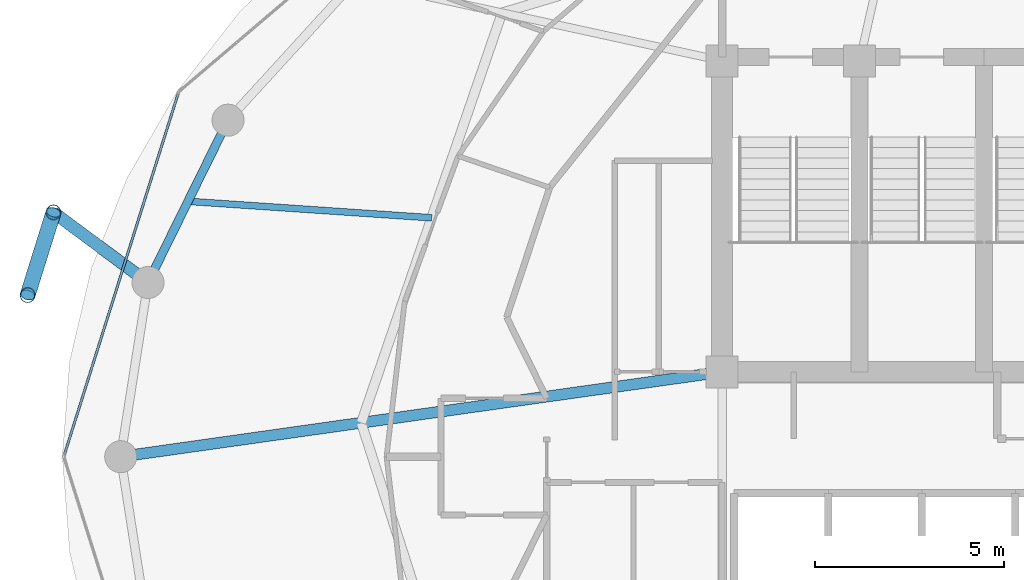
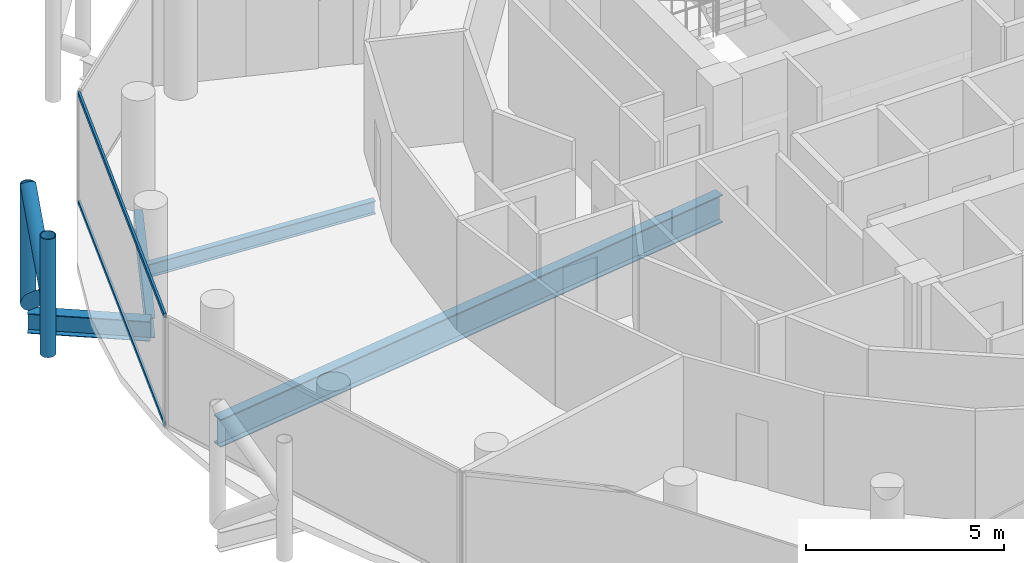
# One storey, part 8 of 27: 6 members, 4 beams, 1 element without a shape of its own.
"""IFC4 building model written with IfcOpenShell, lengths in metres."""

from ifc_helpers import new_model, si_unit, direction, frame, origin, origin_2d, place, context, subcontext, project, spatial, hollow_rectangle, hollow_circle, i_section, extrude, material, layer, layer_set, material_profile, profile_set, type_object, element, aggregate, save


model = new_model("IFC4")

# Units and contexts
model_context = context("Model", 3, precision=1e-05, world=origin(), true_north=direction((0.0, 1.0)))
body_context = subcontext(model_context, "Body", "Model", "MODEL_VIEW")
ifc_project = project(units=[si_unit("LENGTHUNIT", "METRE"), si_unit("AREAUNIT", "SQUARE_METRE"), si_unit("VOLUMEUNIT", "CUBIC_METRE"), si_unit("PLANEANGLEUNIT", "RADIAN"), si_unit("MASSUNIT", "GRAM", prefix="KILO")], contexts=[model_context])

# Site, building, storey
site_placement = place(None, origin())
site = spatial("IfcSite", under=ifc_project, at=site_placement, CompositionType="ELEMENT")
building_placement = place(site_placement, origin())
building = spatial("IfcBuilding", under=site, at=building_placement, Name="Nuhasar Tower", CompositionType="ELEMENT")
storey_placement = place(building_placement, frame((0.0, 0.0, 208.14990234375)))
storey = spatial("IfcBuildingStorey", under=building, at=storey_placement, Name="L50", CompositionType="ELEMENT", Elevation=208.14990234375)

# Beams
ifc_material_1 = material(Name="Steel S355", Category="steel")
ifc_material_profile_1 = material_profile(ifc_material_1, i_section(OverallWidth=0.177978515625, OverallDepth=0.406005859375, WebThickness=0.0078125, FlangeThickness=0.0126953125, at=origin_2d()), Name="W16X40")
ifc_profile_set_1 = profile_set([ifc_material_profile_1], Name="Steel S355")
beam_type_1 = type_object("IfcBeamType", Name="BM-JST-W16X40", PredefinedType="JOIST", material=ifc_profile_set_1)
beam_1_placement = place(storey_placement, frame((25.9970703125, 33.135986328125, -0.44287109375), z_axis=(-0.997721156568, 0.067472170095, 0.0), x_axis=(-0.067472170095, -0.997721156568, 0.0)))
element("IfcBeam", 1, at=beam_1_placement, inside=storey, type_object=beam_type_1, Name="L50 Secondary Floor Joist 07", PredefinedType="JOIST", context=body_context, shape_type="SweptSolid", body=[
    extrude(i_section(OverallWidth=0.177978515625, OverallDepth=0.406005859375, WebThickness=0.0078125, FlangeThickness=0.0126953125, at=origin_2d()), origin(), (0.0, 0.0, 1.0), 6.476806640625),
])
ifc_material_profile_2 = material_profile(ifc_material_1, i_section(OverallWidth=0.2919921875, OverallDepth=0.85888671875, WebThickness=0.01708984375, FlangeThickness=0.031005859375, at=origin_2d()), Name="W33X169")
ifc_profile_set_2 = profile_set([ifc_material_profile_2], Name="Steel S355")
beam_type_2 = type_object("IfcBeamType", Name="BM-POD-W33X169", PredefinedType="BEAM", material=ifc_profile_set_2)
beam_2_placement = place(storey_placement, frame((33.699951171875, 29.050048828125, -0.6689453125), z_axis=(-0.990196233464, -0.139683281866, 0.0), x_axis=(0.139683281866, -0.990196233464, 0.0)))
element("IfcBeam", 2, at=beam_2_placement, inside=storey, type_object=beam_type_2, Name="L50 Radial Floor Girder 08", PredefinedType="BEAM", context=body_context, shape_type="SweptSolid", body=[
    extrude(i_section(OverallWidth=0.2919921875, OverallDepth=0.85888671875, WebThickness=0.01708984375, FlangeThickness=0.031005859375, at=origin_2d()), origin(), (0.0, 0.0, 1.0), 16.10791015625),
])
ifc_material_profile_3 = material_profile(ifc_material_1, i_section(OverallWidth=0.22802734375, OverallDepth=0.60791015625, WebThickness=0.01123046875, FlangeThickness=0.017333984375, at=origin_2d()), Name="W24X76")
ifc_profile_set_3 = profile_set([ifc_material_profile_3], Name="Steel S355")
beam_type_3 = type_object("IfcBeamType", Name="BM-RING-W24X76", PredefinedType="SPANDREL", material=ifc_profile_set_3)
beam_3_placement = place(storey_placement, frame((20.596923828125, 35.72509765625, -0.5439453125), z_axis=(-0.442242604409, -0.896895467067, 0.0), x_axis=(0.896895467067, -0.442242604409, 0.0)))
element("IfcBeam", 3, at=beam_3_placement, inside=storey, type_object=beam_type_3, Name="L50 Perimeter Ring Spandrel 11", PredefinedType="SPANDREL", context=body_context, shape_type="SweptSolid", body=[
    extrude(i_section(OverallWidth=0.22802734375, OverallDepth=0.60791015625, WebThickness=0.01123046875, FlangeThickness=0.017333984375, at=origin_2d()), origin(), (0.0, 0.0, 1.0), 4.800048828125),
])
ifc_material_profile_4 = material_profile(ifc_material_1, i_section(OverallWidth=0.323974609375, OverallDepth=0.611083984375, WebThickness=0.0126953125, FlangeThickness=0.01904296875, at=origin_2d()), Name="W24X104")
ifc_profile_set_4 = profile_set([ifc_material_profile_4], Name="Steel S355")
beam_type_4 = type_object("IfcBeamType", Name="BM-TIE-W24X104", PredefinedType="BEAM", material=ifc_profile_set_4)
beam_4_placement = place(storey_placement, frame((18.47412109375, 31.419921875, -0.544921875), z_axis=(-0.802945922723, 0.596051881285, 0.0), x_axis=(-0.596051881285, -0.802945922723, 0.0)))
element("IfcBeam", 4, at=beam_4_placement, inside=storey, type_object=beam_type_4, Name="L50 Exoskeleton Node Tie Beam 06", PredefinedType="BEAM", context=body_context, shape_type="SweptSolid", body=[
    extrude(i_section(OverallWidth=0.323974609375, OverallDepth=0.611083984375, WebThickness=0.0126953125, FlangeThickness=0.01904296875, at=origin_2d()), origin(), (0.0, 0.0, 1.0), 3.122314453125),
])

# Curtain wall, members
ifc_material_2 = material(Name="Aluminium 6063-T6", Category="aluminium")
ifc_layer = layer(ifc_material_2, 0.18994140625)
ifc_layer_set = layer_set([ifc_layer], Name="Aluminium 6063-T6")
curtain_wall_type = type_object("IfcCurtainWallType", Name="CW-Z3-RES", PredefinedType="NOTDEFINED", material=ifc_layer_set)
curtain_wall_placement = place(storey_placement, origin())
curtain_wall = element("IfcCurtainWall", 5, at=curtain_wall_placement, inside=storey, type_object=curtain_wall_type, Name="L50 Unitised Curtain Wall 06", PredefinedType="NOTDEFINED")
ifc_material_profile_5 = material_profile(ifc_material_2, hollow_rectangle(XDim=0.06494140625, YDim=0.139892578125, WallThickness=0.00439453125, at=origin_2d()), Name="CWT-4")
ifc_profile_set_5 = profile_set([ifc_material_profile_5], Name="Aluminium 6063-T6")
member_type_1 = type_object("IfcMemberType", Name="CW-TRN-S4", PredefinedType="USERDEFINED", material=ifc_profile_set_5)
member_1_placement = place(storey_placement, frame((19.26953125, 36.41796875, 0.03271484375), z_axis=(-0.300437373386, -0.953801543652, 0.0), x_axis=(0.953801543652, -0.300437373386, 0.0)))
member_1 = element("IfcMember", 6, at=member_1_placement, type_object=member_type_1, Name="CW-Z3 transom 1.1", ObjectType="TRANSOM", PredefinedType="USERDEFINED", context=body_context, shape_type="SweptSolid", body=[
    extrude(hollow_rectangle(XDim=0.06494140625, YDim=0.139892578125, WallThickness=0.00439453125, at=origin_2d()), origin(), (0.0, 0.0, 1.0), 10.018798828125),
])
member_2_placement = place(storey_placement, frame((19.26953125, 36.41796875, 3.377685546875), z_axis=(-0.300437373386, -0.953801543652, 0.0), x_axis=(0.953801543652, -0.300437373386, 0.0)))
member_2 = element("IfcMember", 7, at=member_2_placement, type_object=member_type_1, Name="CW-Z3 transom 1.2", ObjectType="TRANSOM", PredefinedType="USERDEFINED", context=body_context, shape_type="SweptSolid", body=[
    extrude(hollow_rectangle(XDim=0.06494140625, YDim=0.139892578125, WallThickness=0.00439453125, at=origin_2d()), origin(), (0.0, 0.0, 1.0), 10.018798828125),
])
aggregate(curtain_wall, [member_1, member_2])

# Members
ifc_material_3 = material(Name="Steel S460", Category="steel")
ifc_material_profile_6 = material_profile(ifc_material_3, hollow_circle(Radius=0.203125, WallThickness=0.01904296875, at=origin_2d()), Name="HSS406.4X19.1")
ifc_profile_set_6 = profile_set([ifc_material_profile_6], Name="Steel S460")
member_type_2 = type_object("IfcMemberType", Name="EXO-BRONZE-406", PredefinedType="BRACE", material=ifc_profile_set_6)
for number, where, z_axis, x_axis, name in (
    (8, (15.967041015625, 33.281005859375, 0.0), (0.0, 0.0, 1.0), (1.0, 0.0, 0.0), "L50 Exoskeleton Chord Column EC-06A"),
    (9, (15.281982421875, 31.0859375, 0.0), (0.0, 0.0, 1.0), (1.0, 0.0, 0.0), "L50 Exoskeleton Chord Column EC-06B"),
):
    element("IfcMember", number, at=place(storey_placement, frame(where, z_axis=z_axis, x_axis=x_axis)), inside=storey, type_object=member_type_2, Name=name, PredefinedType="BRACE", context=body_context, shape_type="SweptSolid", body=[
        extrude(hollow_circle(Radius=0.203125, WallThickness=0.01904296875, at=origin_2d()), origin(), (0.0, 0.0, 1.0), 3.650146484375),
    ])
member_3_placement = place(storey_placement, frame((15.967041015625, 33.281005859375, 0.0), z_axis=(-0.233345847503, -0.747687995332, 0.621701195985), x_axis=(0.954591372974, -0.297918295247, 0.0)))
element("IfcMember", 10, at=member_3_placement, inside=storey, type_object=member_type_2, Name="L50 Bronze Diagrid Brace W1-06", PredefinedType="BRACE", context=body_context, shape_type="SweptSolid", body=[
    extrude(hollow_circle(Radius=0.203125, WallThickness=0.01904296875, at=origin_2d()), origin(), (0.0, 0.0, 1.0), 2.935791015625),
])
member_4_placement = place(storey_placement, frame((15.281982421875, 31.0859375, 1.8251953125), z_axis=(0.233357911711, 0.747726651531, 0.621650174641), x_axis=(-0.954591372974, 0.297918295247, 0.0)))
element("IfcMember", 11, at=member_4_placement, inside=storey, type_object=member_type_2, Name="L50 Bronze Diagrid Brace W2-06", PredefinedType="BRACE", context=body_context, shape_type="SweptSolid", body=[
    extrude(hollow_circle(Radius=0.203125, WallThickness=0.01904296875, at=origin_2d()), origin(), (0.0, 0.0, 1.0), 2.935546875),
])

save(model, "model.ifc")
